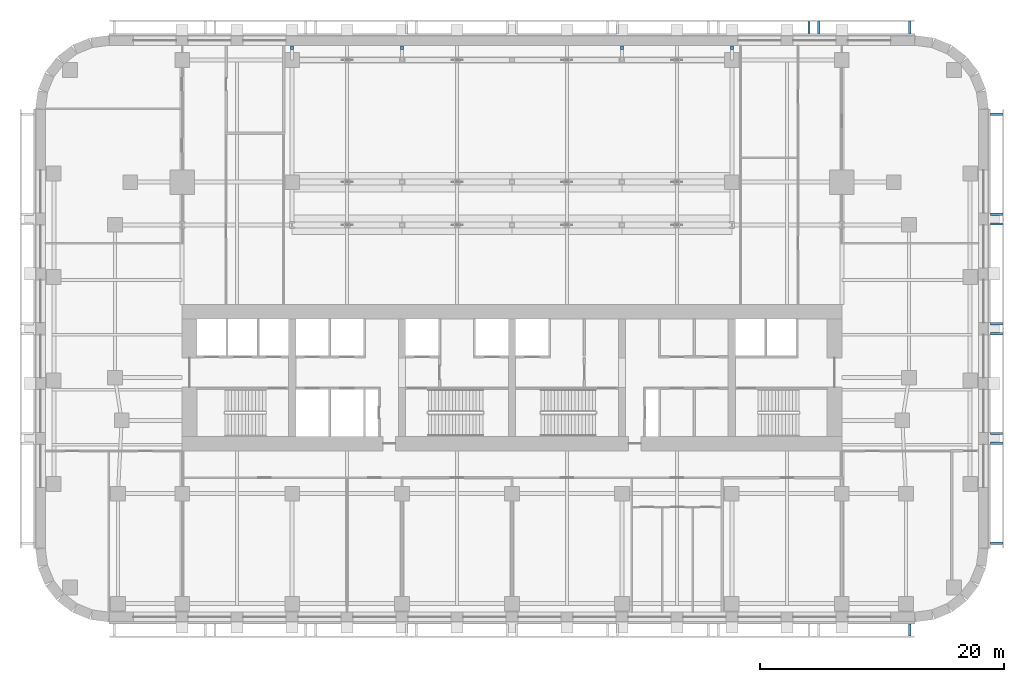
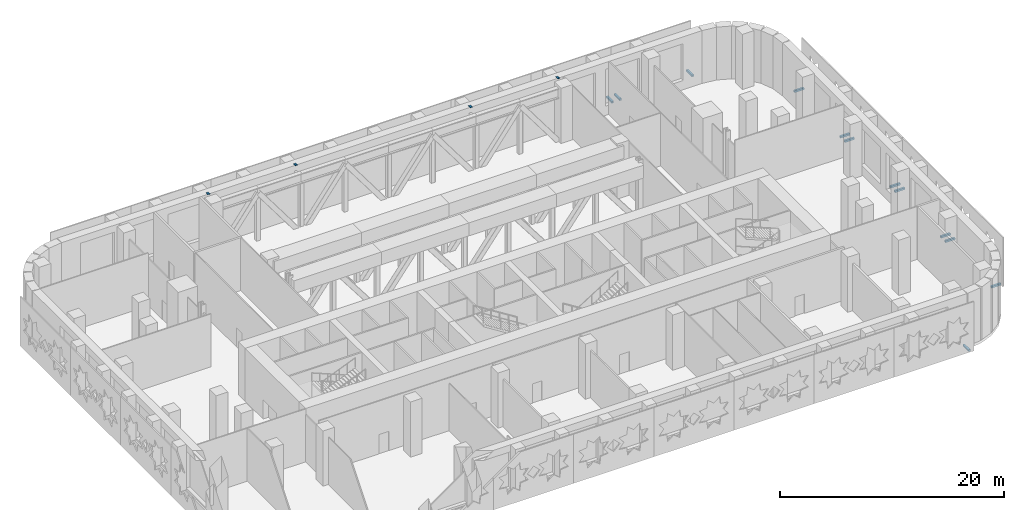
# One storey, part 12 of 15: 16 discrete accessories.
"""IFC4 building model written with IfcOpenShell, lengths in metres."""

from ifc_helpers import new_model, si_unit, direction, frame, origin, origin_2d, place, context, subcontext, project, spatial, rectangle, extrude, material, type_object, element, save


model = new_model("IFC4")

# Units and contexts
model_context = context("Model", 3, precision=1e-05, world=origin(), true_north=direction((0.0, 1.0)))
body_context = subcontext(model_context, "Body", "Model", "MODEL_VIEW")
ifc_project = project(units=[si_unit("LENGTHUNIT", "METRE"), si_unit("AREAUNIT", "SQUARE_METRE"), si_unit("VOLUMEUNIT", "CUBIC_METRE"), si_unit("PLANEANGLEUNIT", "RADIAN"), si_unit("MASSUNIT", "GRAM", prefix="KILO")], contexts=[model_context])

# Site, building, storey
site_placement = place(None, origin())
site = spatial("IfcSite", under=ifc_project, at=site_placement, CompositionType="ELEMENT")
building_placement = place(site_placement, origin())
building = spatial("IfcBuilding", under=site, at=building_placement, Name="Zellij Exchange Tower", CompositionType="ELEMENT")
storey_placement = place(building_placement, frame((0.0, 0.0, 33.0)))
storey = spatial("IfcBuildingStorey", under=building, at=storey_placement, Name="L05", CompositionType="ELEMENT", Elevation=33.0)

# Discrete accessories
ifc_material = material(Name="Stainless steel", Category="steel")
discrete_accessory_type = type_object("IfcDiscreteAccessoryType", Name="ENV-BR1 Stone panel bracket 200", PredefinedType="USERDEFINED", material=ifc_material)
for number, where, z_axis, x_axis, name in (
    (1, (32.547607421875, -28.64990234375, 0.2998046875), (0.0, 0.0, 1.0), (1.0, 0.0, 0.0), "Panel bracket"),
    (2, (32.547607421875, 20.64990234375, 0.2998046875), (0.0, 0.0, 1.0), (-1.0, 0.0, 0.0), "Panel bracket"),
    (3, (25.110595703125, 20.64990234375, 0.2998046875), (0.0, 0.0, 1.0), (-1.0, 0.0, 0.0), "Panel bracket"),
    (4, (24.310791015625, 20.64990234375, 0.2998046875), (0.0, 0.0, 1.0), (-1.0, 0.0, 0.0), "Panel bracket"),
    (5, (39.64990234375, -21.547607421875, 0.2998046875), (0.0, 0.0, 1.0), (0.0, 1.0, 0.0), "Panel bracket"),
    (6, (39.64990234375, -13.373779296875, 0.2998046875), (0.0, 0.0, 1.0), (0.0, 1.0, 0.0), "Panel bracket"),
    (7, (39.64990234375, -12.57373046875, 0.2998046875), (0.0, 0.0, 1.0), (0.0, 1.0, 0.0), "Panel bracket"),
    (8, (39.64990234375, -4.39990234375, 0.2998046875), (0.0, 0.0, 1.0), (0.0, 1.0, 0.0), "Panel bracket"),
    (9, (39.64990234375, -3.60009765625, 0.2998046875), (0.0, 0.0, 1.0), (0.0, 1.0, 0.0), "Panel bracket"),
    (10, (39.64990234375, 4.57373046875, 0.2998046875), (0.0, 0.0, 1.0), (0.0, 1.0, 0.0), "Panel bracket"),
    (11, (39.64990234375, 5.373779296875, 0.2998046875), (0.0, 0.0, 1.0), (0.0, 1.0, 0.0), "Panel bracket"),
    (12, (39.64990234375, 13.547607421875, 0.2998046875), (0.0, 0.0, 1.0), (0.0, 1.0, 0.0), "Panel bracket"),
):
    element("IfcDiscreteAccessory", number, at=place(storey_placement, frame(where, z_axis=z_axis, x_axis=x_axis)), inside=storey, type_object=discrete_accessory_type, Name=name, ObjectType="BRACKET", PredefinedType="USERDEFINED", context=body_context, shape_type="SweptSolid", body=[
        extrude(rectangle(XDim=0.199951171875, YDim=1.0, at=origin_2d()), origin(), (0.0, 0.0, 1.0), 0.199951171875),
    ])
for number, where, z_axis, x_axis, name in (
    (13, (-18.0, 19.0, 6.0), (0.0, 0.0, 1.0), (1.0, 0.0, 0.0), "Post cap plate"),
    (14, (-9.0, 19.0, 6.0), (0.0, 0.0, 1.0), (1.0, 0.0, 0.0), "Post cap plate"),
    (15, (9.0, 19.0, 6.0), (0.0, 0.0, 1.0), (1.0, 0.0, 0.0), "Post cap plate"),
    (16, (18.0, 19.0, 6.0), (0.0, 0.0, 1.0), (1.0, 0.0, 0.0), "Post cap plate"),
):
    element("IfcDiscreteAccessory", number, at=place(storey_placement, frame(where, z_axis=z_axis, x_axis=x_axis)), inside=storey, Name=name, PredefinedType="BRACKET", context=body_context, shape_type="SweptSolid", body=[
        extrude(rectangle(XDim=0.22314453125, YDim=0.32470703125, at=origin_2d()), origin(), (0.0, 0.0, 1.0), 0.02001953125),
    ])

save(model, "model.ifc")
